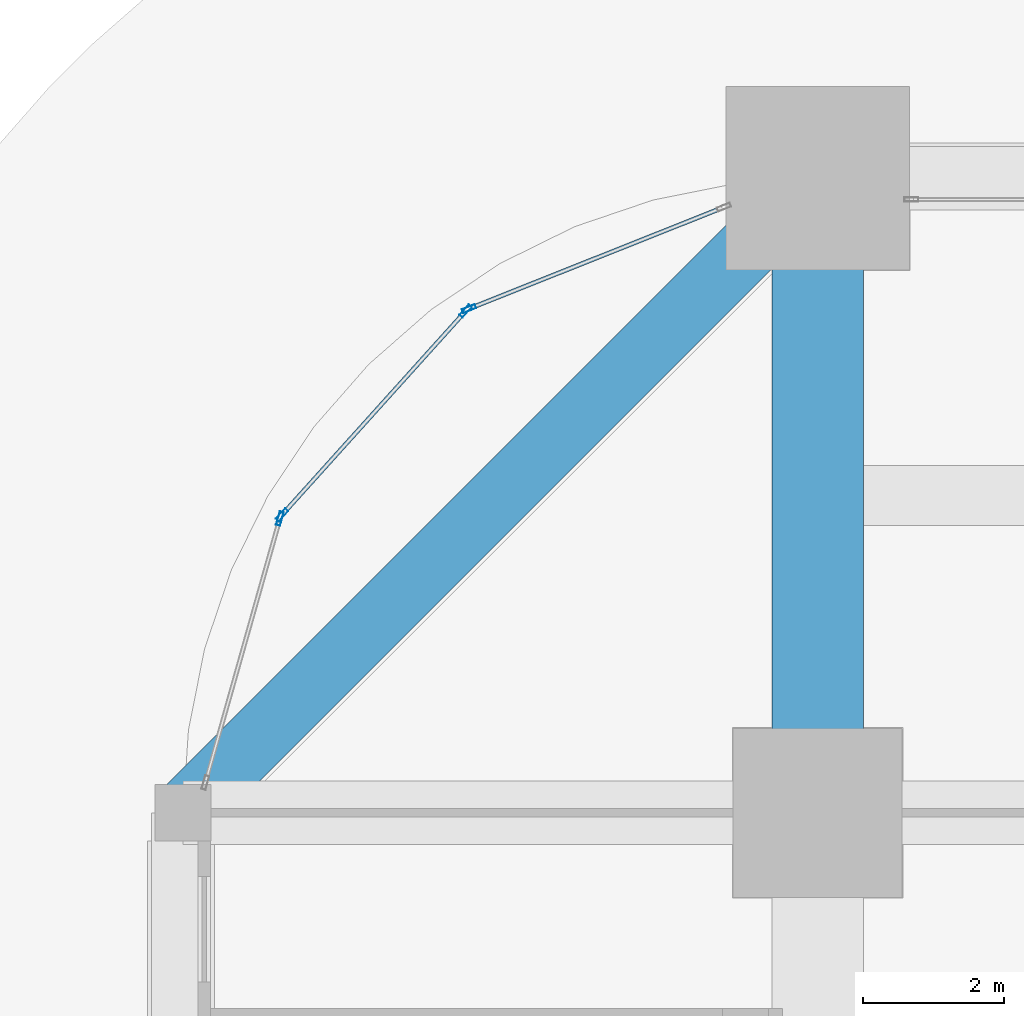
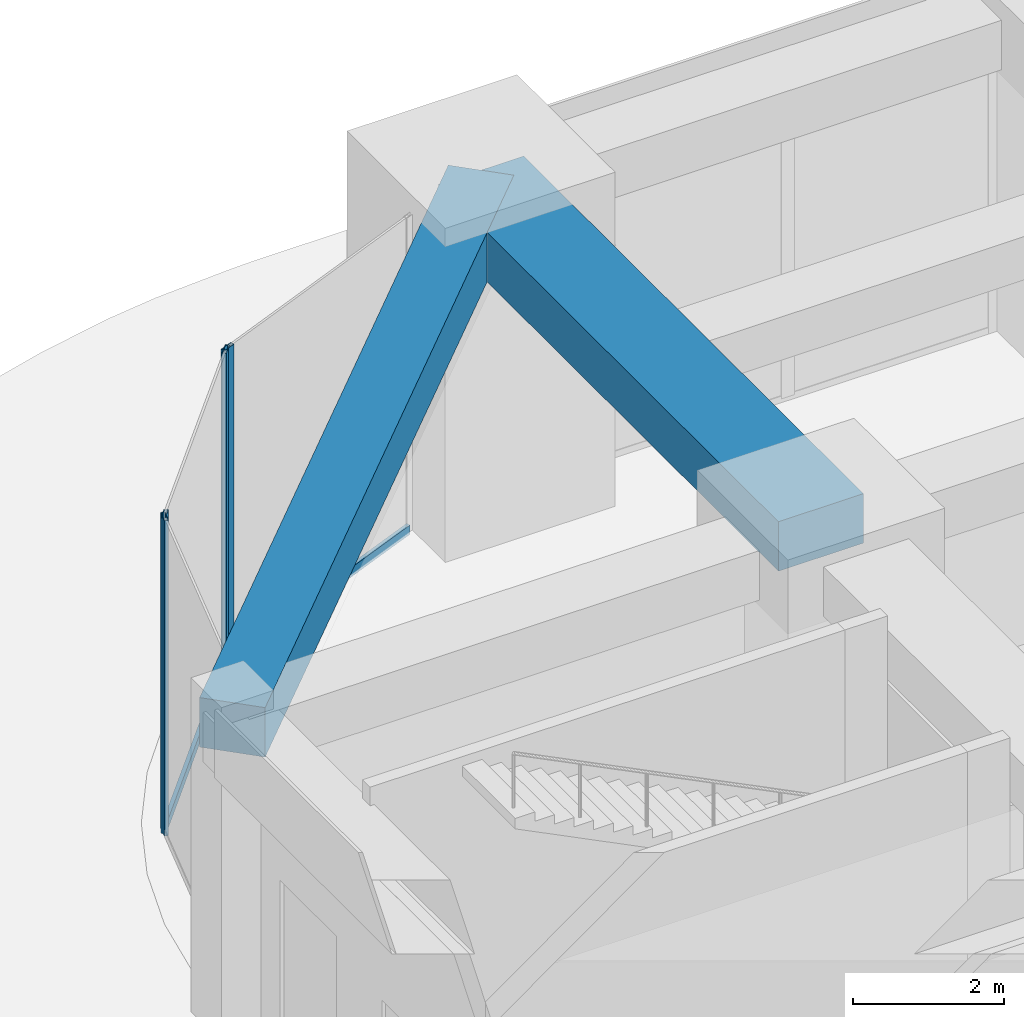
# One storey, part 21 of 56: 6 members, 2 beams, 3 elements without a shape of their own.
"""IFC4 building model written with IfcOpenShell, lengths in metres."""

from ifc_helpers import new_model, si_unit, direction, frame, origin, origin_2d, place, context, subcontext, project, spatial, rectangle, hollow_rectangle, extrude, material, material_profile, profile_set, type_object, element, aggregate, save


model = new_model("IFC4")

# Units and contexts
model_context = context("Model", 3, precision=1e-05, world=origin(), true_north=direction((0.0, 1.0)))
body_context = subcontext(model_context, "Body", "Model", "MODEL_VIEW")
ifc_project = project(units=[si_unit("LENGTHUNIT", "METRE"), si_unit("AREAUNIT", "SQUARE_METRE"), si_unit("VOLUMEUNIT", "CUBIC_METRE"), si_unit("PLANEANGLEUNIT", "RADIAN"), si_unit("MASSUNIT", "GRAM", prefix="KILO")], contexts=[model_context])

# Site, building, storey
site_placement = place(None, origin())
site = spatial("IfcSite", under=ifc_project, at=site_placement, CompositionType="ELEMENT")
building_placement = place(site_placement, origin())
building = spatial("IfcBuilding", under=site, at=building_placement, Name="Zorevar Civic Tower", CompositionType="ELEMENT")
storey_placement = place(building_placement, origin())
storey = spatial("IfcBuildingStorey", under=building, at=storey_placement, Name="L00", CompositionType="ELEMENT", Elevation=0.0)

# Beam
ifc_material_1 = material(Name="Concrete C50/60", Category="concrete")
ifc_material_profile_1 = material_profile(ifc_material_1, rectangle(XDim=1.300048828125, YDim=0.800048828125, at=origin_2d()), Name="RC 1300x800")
ifc_profile_set_1 = profile_set([ifc_material_profile_1], Name="Concrete C50/60")
beam_type_1 = type_object("IfcBeamType", Name="Beam RC 1300x800", PredefinedType="BEAM", material=ifc_profile_set_1)
beam_1_placement = place(storey_placement, frame((0.0, 45.0, 4.699951171875), z_axis=(0.0, 1.0, 0.0), x_axis=(-1.0, 0.0, 0.0)))
element("IfcBeam", 1, at=beam_1_placement, inside=storey, type_object=beam_type_1, Name="Girder L01", PredefinedType="BEAM", context=body_context, shape_type="SweptSolid", body=[
    extrude(rectangle(XDim=1.300048828125, YDim=0.800048828125, at=origin_2d()), origin(), (0.0, 0.0, 1.0), 9.0),
])

# Curtain wall, member
ifc_material_2 = material(Name="Dark grey solar-control glass in black aluminium frame", Category="aluminium")
curtain_wall_type = type_object("IfcCurtainWallType", Name="Curtain wall CW1 podium", PredefinedType="NOTDEFINED", material=ifc_material_2)
curtain_wall_1_placement = place(storey_placement, origin())
curtain_wall_1 = element("IfcCurtainWall", 2, at=curtain_wall_1_placement, inside=storey, type_object=curtain_wall_type, Name="CW1 L00", PredefinedType="NOTDEFINED")
ifc_material_3 = material(Name="Aluminium, black anodised", Category="aluminium")
ifc_material_profile_2 = material_profile(ifc_material_3, hollow_rectangle(XDim=0.06005859375, YDim=0.199951171875, WallThickness=0.00390625, at=origin_2d()), Name="AL 200x60x4")
ifc_profile_set_2 = profile_set([ifc_material_profile_2], Name="Aluminium, black anodised")
member_type_1 = type_object("IfcMemberType", Name="CW1 mullion AL 200x60x4", PredefinedType="MULLION", material=ifc_profile_set_2)
member_1_placement = place(storey_placement, frame((-4.943603515625, 52.150634765625, 0.0), z_axis=(0.0, 0.0, 1.0), x_axis=(0.370110964218, -0.928987553289, 0.0)))
member_1 = element("IfcMember", 3, at=member_1_placement, type_object=member_type_1, Name="CW1 mullion 2", PredefinedType="MULLION", context=body_context, shape_type="SweptSolid", body=[
    extrude(hollow_rectangle(XDim=0.06005859375, YDim=0.199951171875, WallThickness=0.00390625, at=origin_2d()), origin(), (0.0, 0.0, 1.0), 5.10009765625),
])

# Curtain wall, members
curtain_wall_2_placement = place(storey_placement, origin())
curtain_wall_2 = element("IfcCurtainWall", 4, at=curtain_wall_2_placement, inside=storey, type_object=curtain_wall_type, Name="CW1 L00", PredefinedType="NOTDEFINED")
member_2_placement = place(storey_placement, frame((-4.991455078125, 52.1171875, 0.0), z_axis=(0.0, 0.0, 1.0), x_axis=(0.742899688263, -0.669402758568, 0.0)))
member_2 = element("IfcMember", 5, at=member_2_placement, type_object=member_type_1, Name="CW1 mullion 1", PredefinedType="MULLION", context=body_context, shape_type="SweptSolid", body=[
    extrude(hollow_rectangle(XDim=0.06005859375, YDim=0.199951171875, WallThickness=0.00390625, at=origin_2d()), origin(), (0.0, 0.0, 1.0), 5.10009765625),
])
member_3_placement = place(storey_placement, frame((-7.596923828125, 49.225830078125, 0.0), z_axis=(0.0, 0.0, 1.0), x_axis=(0.742899688263, -0.669402758568, 0.0)))
member_3 = element("IfcMember", 6, at=member_3_placement, type_object=member_type_1, Name="CW1 mullion 2", PredefinedType="MULLION", context=body_context, shape_type="SweptSolid", body=[
    extrude(hollow_rectangle(XDim=0.06005859375, YDim=0.199951171875, WallThickness=0.00390625, at=origin_2d()), origin(), (0.0, 0.0, 1.0), 5.10009765625),
])

# Curtain wall, member
curtain_wall_3_placement = place(storey_placement, origin())
curtain_wall_3 = element("IfcCurtainWall", 7, at=curtain_wall_3_placement, inside=storey, type_object=curtain_wall_type, Name="CW1 L00", PredefinedType="NOTDEFINED")
member_4_placement = place(storey_placement, frame((-7.625244140625, 49.174560546875, 0.0), z_axis=(0.0, 0.0, 1.0), x_axis=(0.962390725943, -0.271669082929, 0.0)))
member_4 = element("IfcMember", 8, at=member_4_placement, type_object=member_type_1, Name="CW1 mullion 1", PredefinedType="MULLION", context=body_context, shape_type="SweptSolid", body=[
    extrude(hollow_rectangle(XDim=0.06005859375, YDim=0.199951171875, WallThickness=0.00390625, at=origin_2d()), origin(), (0.0, 0.0, 1.0), 5.10009765625),
])
aggregate(curtain_wall_3, [member_4])

# Member
ifc_material_4 = material(Name="Aluminium, black anodised", Category="aluminium")
ifc_material_profile_3 = material_profile(ifc_material_4, hollow_rectangle(XDim=0.06005859375, YDim=0.14990234375, WallThickness=0.00390625, at=origin_2d()), Name="AL 150x60x4")
ifc_profile_set_3 = profile_set([ifc_material_profile_3], Name="Aluminium, black anodised")
member_type_2 = type_object("IfcMemberType", Name="CW1 transom AL 150x60x4", PredefinedType="USERDEFINED", material=ifc_profile_set_3)
member_5_placement = place(storey_placement, frame((-1.355712890625, 53.580078125, 0.030029296875), z_axis=(-0.928998620575, -0.370083183851, 0.0), x_axis=(0.370083183851, -0.928998620575, 0.0)))
member_5 = element("IfcMember", 9, at=member_5_placement, type_object=member_type_2, Name="CW1 sill transom", ObjectType="TRANSOM", PredefinedType="USERDEFINED", context=body_context, shape_type="SweptSolid", body=[
    extrude(hollow_rectangle(XDim=0.06005859375, YDim=0.14990234375, WallThickness=0.00390625, at=origin_2d()), origin(), (0.0, 0.0, 1.0), 3.83203125),
])

aggregate(curtain_wall_1, [member_1, member_5])

member_6_placement = place(storey_placement, frame((-5.01171875, 52.094970703125, 0.030029296875), z_axis=(-0.669390521788, -0.742910714245, 0.0), x_axis=(0.742910714245, -0.669390521788, 0.0)))
member_6 = element("IfcMember", 10, at=member_6_placement, type_object=member_type_2, Name="CW1 sill transom", ObjectType="TRANSOM", PredefinedType="USERDEFINED", context=body_context, shape_type="SweptSolid", body=[
    extrude(hollow_rectangle(XDim=0.06005859375, YDim=0.14990234375, WallThickness=0.00390625, at=origin_2d()), origin(), (0.0, 0.0, 1.0), 3.83203125),
])

aggregate(curtain_wall_2, [member_2, member_3, member_6])

# Beam
ifc_material_5 = material(Name="Concrete C50/60", Category="concrete")
ifc_material_profile_4 = material_profile(ifc_material_5, rectangle(XDim=0.89990234375, YDim=0.800048828125, at=origin_2d()), Name="RC 900x800")
ifc_profile_set_4 = profile_set([ifc_material_profile_4], Name="Concrete C50/60")
beam_type_2 = type_object("IfcBeamType", Name="Edge beam RC 900x800", PredefinedType="SPANDREL", material=ifc_profile_set_4)
beam_2_placement = place(storey_placement, frame((0.0, 54.0, 4.699951171875), z_axis=(-0.707106781187, -0.707106781187, 0.0), x_axis=(0.707106781187, -0.707106781187, 0.0)))
element("IfcBeam", 11, at=beam_2_placement, inside=storey, type_object=beam_type_2, Name="Corner edge beam L01", PredefinedType="SPANDREL", context=body_context, shape_type="SweptSolid", body=[
    extrude(rectangle(XDim=0.89990234375, YDim=0.800048828125, at=origin_2d()), origin(), (0.0, 0.0, 1.0), 12.72802734375),
])

save(model, "model.ifc")
